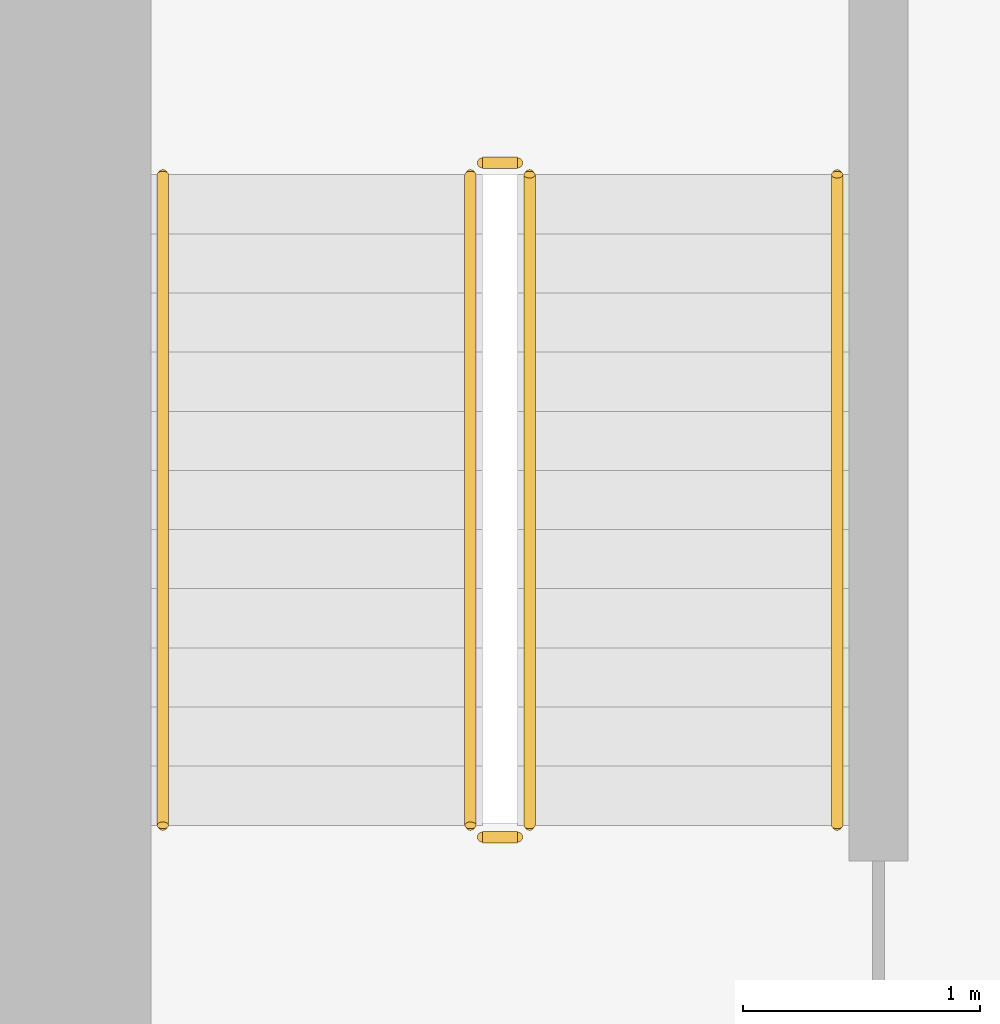
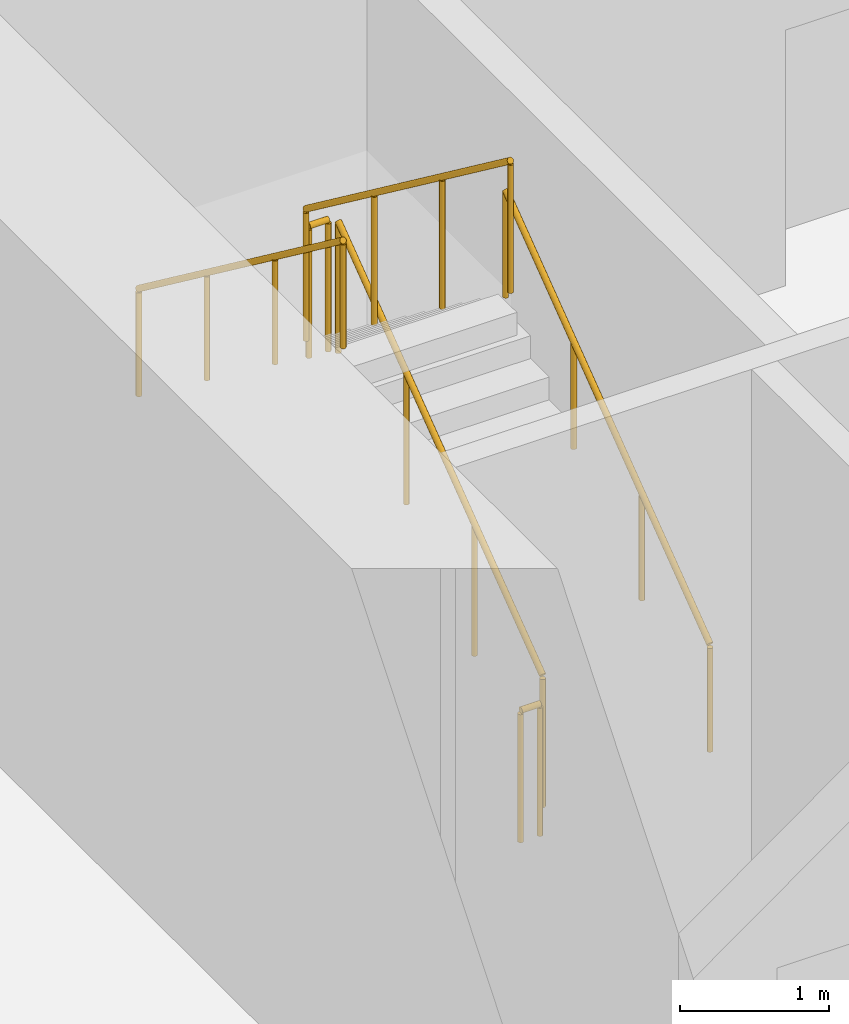
# One storey, part 9 of 12: 6 railings.
"""IFC4 building model written with IfcOpenShell, lengths in metres."""

from ifc_helpers import new_model, si_unit, direction, frame, origin, origin_2d, place, context, subcontext, project, spatial, circle, extrude, source, transform, mapped, material, type_object, element, save


model = new_model("IFC4")

# Units and contexts
model_context = context("Model", 3, precision=1e-05, world=origin(), true_north=direction((0.0, 1.0)))
body_context = subcontext(model_context, "Body", "Model", "MODEL_VIEW")
ifc_project = project(units=[si_unit("LENGTHUNIT", "METRE"), si_unit("AREAUNIT", "SQUARE_METRE"), si_unit("VOLUMEUNIT", "CUBIC_METRE"), si_unit("PLANEANGLEUNIT", "RADIAN"), si_unit("MASSUNIT", "GRAM", prefix="KILO")], contexts=[model_context])

# Site, building, storey
site_placement = place(None, origin())
site = spatial("IfcSite", under=ifc_project, at=site_placement, CompositionType="ELEMENT")
building_placement = place(site_placement, origin())
building = spatial("IfcBuilding", under=site, at=building_placement, Name="Aurelian Terraces", CompositionType="ELEMENT")
storey_placement = place(building_placement, frame((0.0, 0.0, -9.0)))
storey = spatial("IfcBuildingStorey", under=building, at=storey_placement, Name="B2", CompositionType="ELEMENT", Elevation=-9.0)

# Railings
ifc_material = material(Name="Stainless steel", Category="steel")
railing_type_1 = type_object("IfcRailingType", Name="Stair guard 1100", PredefinedType="GUARDRAIL", material=ifc_material)
shared_shape_1 = source(origin(), body_context, "Body", "SweptSolid", [
    extrude(circle(Radius=0.024, at=origin_2d()), frame((0.0, 0.0, 1.076), z_axis=(-1.0, 0.0, 0.0), x_axis=(0.0, -1.0, 0.0)), (0.0, 0.0, 1.0), 0.15),
    extrude(circle(Radius=0.021, at=origin_2d()), origin(), (0.0, 0.0, 1.0), 1.052),
    extrude(circle(Radius=0.021, at=origin_2d()), frame((-0.15, 0.0, 0.0)), (0.0, 0.0, 1.0), 1.052),
])
for number, where, name in (
    (1, (5.75, 19.1, 2.25), "B2 S1 stair guard 2"),
    (2, (5.75, 16.25, 0.0), "B2 S1 stair guard 4"),
):
    element("IfcRailing", number, at=place(storey_placement, frame(where)), inside=storey, type_object=railing_type_1, Name=name, PredefinedType="GUARDRAIL", context=body_context, shape_type="MappedRepresentation", body=[
        mapped(shared_shape_1, transform((0.0, 0.0, 0.0), scale=1.0)),
    ])
shared_shape_2 = source(origin(), body_context, "Body", "SweptSolid", [
    extrude(circle(Radius=0.024, at=origin_2d()), frame((0.0, 0.0, 1.076), z_axis=(0.0, 0.8, 0.6), x_axis=(-1.0, 0.0, 0.0)), (0.0, 0.0, 1.0), 3.4375),
    extrude(circle(Radius=0.021, at=origin_2d()), origin(), (0.0, 0.0, 1.0), 1.052),
    extrude(circle(Radius=0.021, at=origin_2d()), frame((0.0, 0.9167, 0.6875)), (0.0, 0.0, 1.0), 1.052),
    extrude(circle(Radius=0.021, at=origin_2d()), frame((0.0, 1.8333, 1.375)), (0.0, 0.0, 1.0), 1.052),
    extrude(circle(Radius=0.021, at=origin_2d()), frame((0.0, 2.75, 2.0625)), (0.0, 0.0, 1.0), 1.052),
])
railing_1_placement = place(storey_placement, frame((5.8, 16.3, 0.1875)))
element("IfcRailing", 3, at=railing_1_placement, inside=storey, type_object=railing_type_1, Name="B2 S1 stair guard 1", PredefinedType="GUARDRAIL", context=body_context, shape_type="MappedRepresentation", body=[
    mapped(shared_shape_2, transform((0.0, 0.0, 0.0), scale=1.0)),
])
shared_shape_3 = source(origin(), body_context, "Body", "SweptSolid", [
    extrude(circle(Radius=0.024, at=origin_2d()), frame((0.0, 0.0, 1.076), z_axis=(0.0, -0.8, 0.6), x_axis=(1.0, 0.0, 0.0)), (0.0, 0.0, 1.0), 3.4375),
    extrude(circle(Radius=0.021, at=origin_2d()), origin(), (0.0, 0.0, 1.0), 1.052),
    extrude(circle(Radius=0.021, at=origin_2d()), frame((0.0, -0.9167, 0.6875)), (0.0, 0.0, 1.0), 1.052),
    extrude(circle(Radius=0.021, at=origin_2d()), frame((0.0, -1.8333, 1.375)), (0.0, 0.0, 1.0), 1.052),
    extrude(circle(Radius=0.021, at=origin_2d()), frame((0.0, -2.75, 2.0625)), (0.0, 0.0, 1.0), 1.052),
])
railing_2_placement = place(storey_placement, frame((5.55, 19.05, 2.4375)))
element("IfcRailing", 4, at=railing_2_placement, inside=storey, type_object=railing_type_1, Name="B2 S1 stair guard 3", PredefinedType="GUARDRAIL", context=body_context, shape_type="MappedRepresentation", body=[
    mapped(shared_shape_3, transform((0.0, 0.0, 0.0), scale=1.0)),
])
railing_type_2 = type_object("IfcRailingType", Name="Stair handrail", PredefinedType="HANDRAIL", material=ifc_material)
shared_shape_4 = source(origin(), body_context, "Body", "SweptSolid", [
    extrude(circle(Radius=0.024, at=origin_2d()), frame((0.0, 0.0, 0.876), z_axis=(0.0, 0.8, 0.6), x_axis=(-1.0, 0.0, 0.0)), (0.0, 0.0, 1.0), 3.4375),
    extrude(circle(Radius=0.021, at=origin_2d()), origin(), (0.0, 0.0, 1.0), 0.852),
    extrude(circle(Radius=0.021, at=origin_2d()), frame((0.0, 0.9167, 0.6875)), (0.0, 0.0, 1.0), 0.852),
    extrude(circle(Radius=0.021, at=origin_2d()), frame((0.0, 1.8333, 1.375)), (0.0, 0.0, 1.0), 0.852),
    extrude(circle(Radius=0.021, at=origin_2d()), frame((0.0, 2.75, 2.0625)), (0.0, 0.0, 1.0), 0.852),
])
railing_3_placement = place(storey_placement, frame((7.1, 16.3, 0.1875)))
element("IfcRailing", 5, at=railing_3_placement, inside=storey, type_object=railing_type_2, Name="B2 S1 stair handrail 1", PredefinedType="HANDRAIL", context=body_context, shape_type="MappedRepresentation", body=[
    mapped(shared_shape_4, transform((0.0, 0.0, 0.0), scale=1.0)),
])
shared_shape_5 = source(origin(), body_context, "Body", "SweptSolid", [
    extrude(circle(Radius=0.024, at=origin_2d()), frame((0.0, 0.0, 0.876), z_axis=(0.0, -0.8, 0.6), x_axis=(1.0, 0.0, 0.0)), (0.0, 0.0, 1.0), 3.4375),
    extrude(circle(Radius=0.021, at=origin_2d()), origin(), (0.0, 0.0, 1.0), 0.852),
    extrude(circle(Radius=0.021, at=origin_2d()), frame((0.0, -0.9167, 0.6875)), (0.0, 0.0, 1.0), 0.852),
    extrude(circle(Radius=0.021, at=origin_2d()), frame((0.0, -1.8333, 1.375)), (0.0, 0.0, 1.0), 0.852),
    extrude(circle(Radius=0.021, at=origin_2d()), frame((0.0, -2.75, 2.0625)), (0.0, 0.0, 1.0), 0.852),
])
railing_4_placement = place(storey_placement, frame((4.25, 19.05, 2.4375)))
element("IfcRailing", 6, at=railing_4_placement, inside=storey, type_object=railing_type_2, Name="B2 S1 stair handrail 2", PredefinedType="HANDRAIL", context=body_context, shape_type="MappedRepresentation", body=[
    mapped(shared_shape_5, transform((0.0, 0.0, 0.0), scale=1.0)),
])

save(model, "model.ifc")
